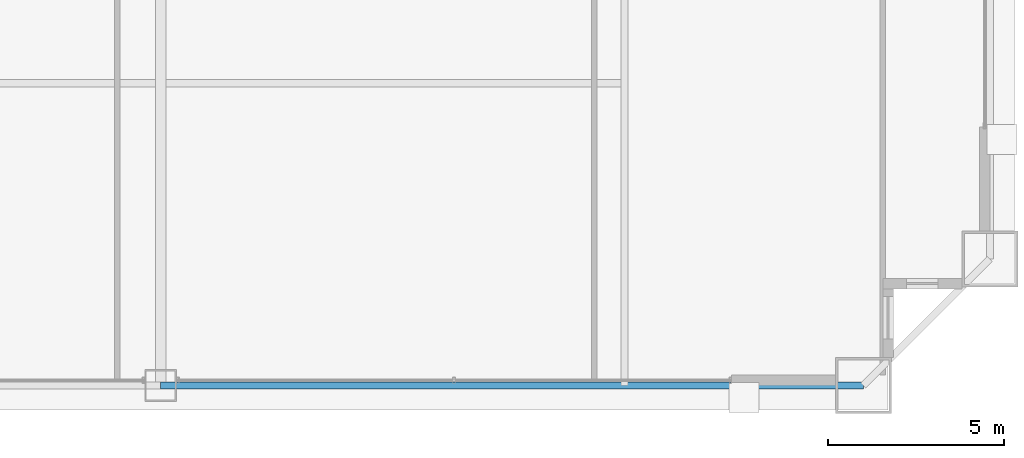
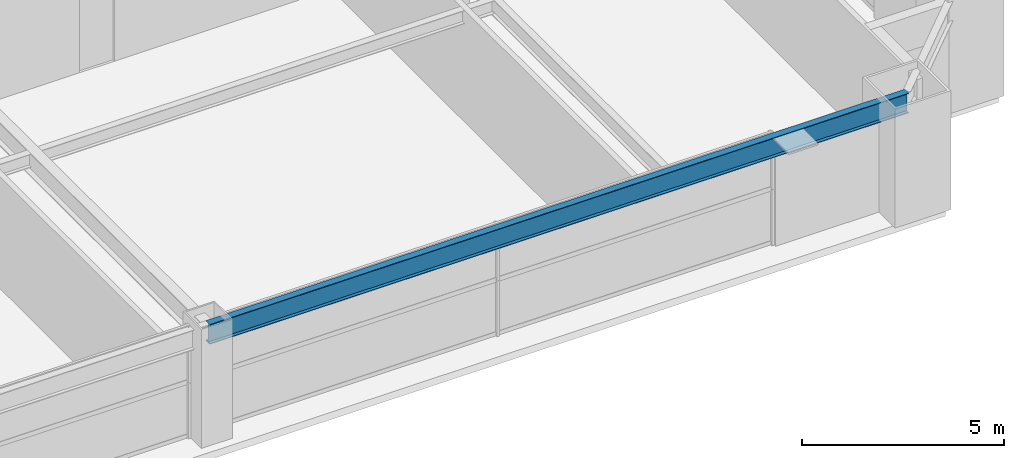
# One storey, part 14 of 38: 1 beam.
"""IFC4 building model written with IfcOpenShell, lengths in metres."""

from ifc_helpers import new_model, si_unit, direction, frame, origin, origin_2d, place, context, subcontext, project, spatial, i_section, extrude, source, transform, mapped, material, material_profile, profile_set, type_object, element, save


model = new_model("IFC4")

# Units and contexts
model_context = context("Model", 3, precision=1e-05, world=origin(), true_north=direction((0.0, 1.0)))
body_context = subcontext(model_context, "Body", "Model", "MODEL_VIEW")
ifc_project = project(units=[si_unit("LENGTHUNIT", "METRE"), si_unit("AREAUNIT", "SQUARE_METRE"), si_unit("VOLUMEUNIT", "CUBIC_METRE"), si_unit("PLANEANGLEUNIT", "RADIAN"), si_unit("MASSUNIT", "GRAM", prefix="KILO"), si_unit("THERMODYNAMICTEMPERATUREUNIT", "KELVIN"), si_unit("POWERUNIT", "WATT")], contexts=[model_context])

# Site, building, storey
site_placement = place(None, origin())
site = spatial("IfcSite", under=ifc_project, at=site_placement, CompositionType="ELEMENT")
building_placement = place(site_placement, origin())
building = spatial("IfcBuilding", under=site, at=building_placement, Name="Yuzanri Waterfront Tower", CompositionType="ELEMENT")
storey_placement = place(building_placement, frame((0.0, 0.0, 119.0)))
storey = spatial("IfcBuildingStorey", under=building, at=storey_placement, Name="L31", CompositionType="ELEMENT", Elevation=119.0)

# Beam
ifc_material = material(Name="Steel Q355B", Category="steel")
ifc_material_profile = material_profile(ifc_material, i_section(OverallWidth=0.199951171875, OverallDepth=0.60009765625, WebThickness=0.010986328125, FlangeThickness=0.01708984375, at=origin_2d()), Name="HN 600x200x11x17")
ifc_profile_set = profile_set([ifc_material_profile], Name="Steel Q355B")
beam_type = type_object("IfcBeamType", Name="Perimeter Spandrel Q355B HN 600x200", PredefinedType="SPANDREL", material=ifc_profile_set)
shared_shape = source(origin(), body_context, "Body", "SweptSolid", [
    extrude(i_section(OverallWidth=0.199951171875, OverallDepth=0.60009765625, WebThickness=0.010986328125, FlangeThickness=0.01708984375, at=origin_2d()), origin(), (0.0, 0.0, 1.0), 20.0),
])
beam_placement = place(storey_placement, frame((37.0, 2.199951171875, 3.080078125), z_axis=(1.0, 0.0, 0.0), x_axis=(0.0, 1.0, 0.0)))
element("IfcBeam", 1, at=beam_placement, inside=storey, type_object=beam_type, Name="L31 Perimeter Spandrel S2-S3", PredefinedType="SPANDREL", context=body_context, shape_type="MappedRepresentation", body=[
    mapped(shared_shape, transform((0.0, 0.0, 0.0), scale=1.0)),
])

save(model, "model.ifc")
